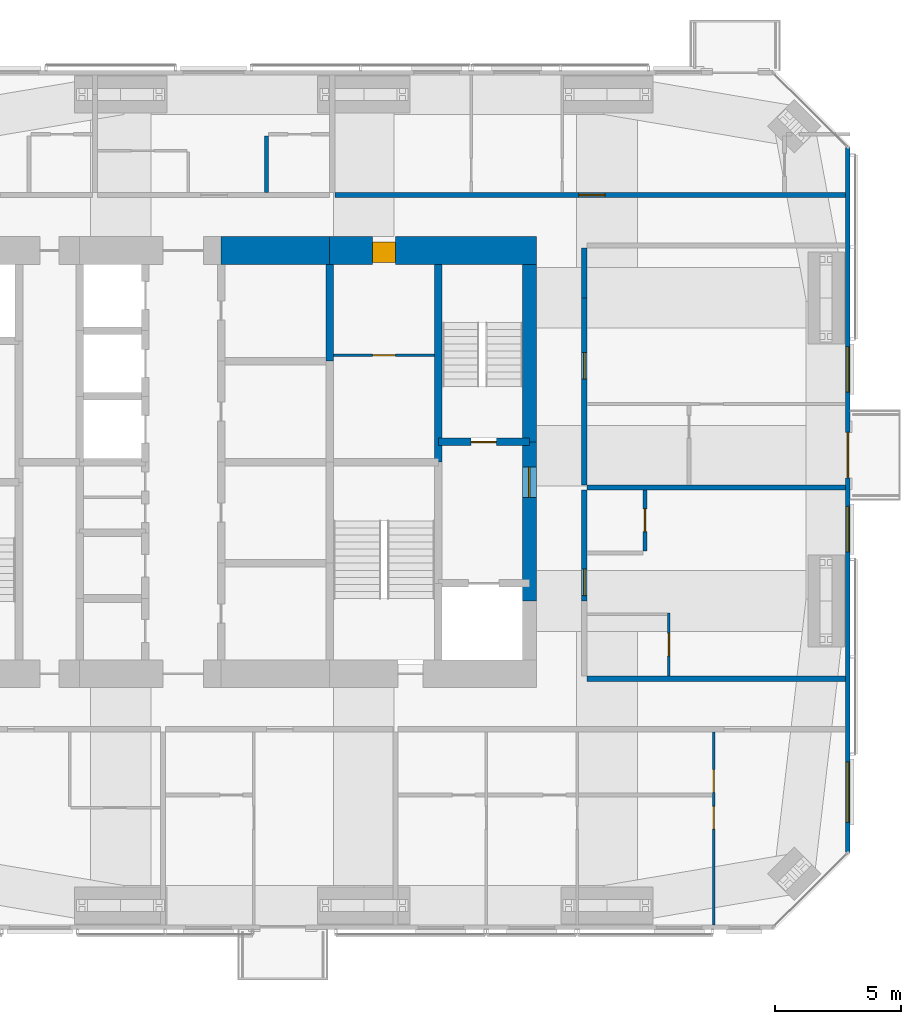
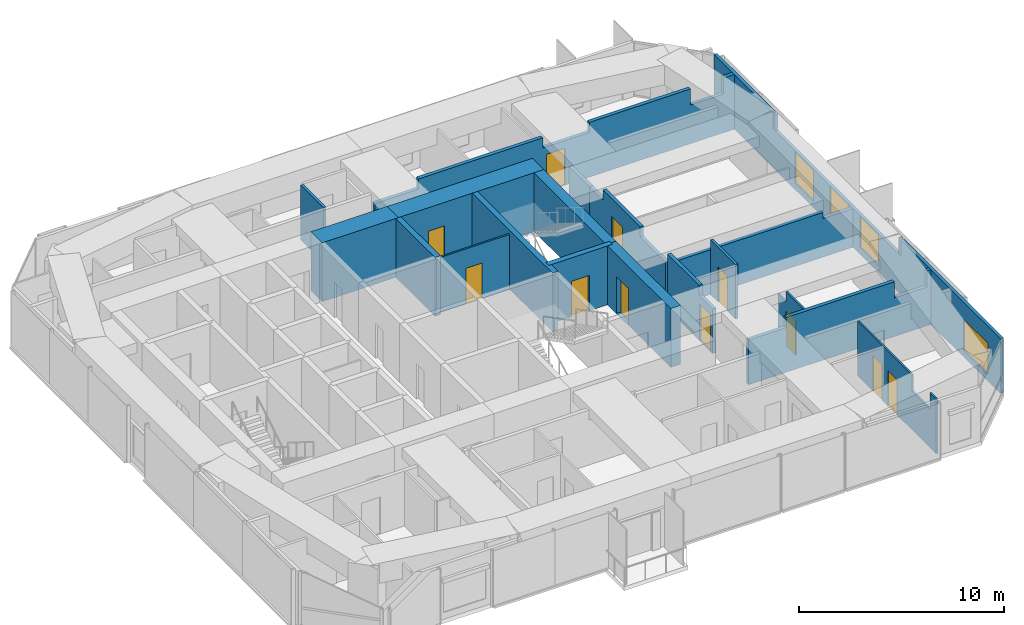
# One storey, part 15 of 18: 19 walls, 12 doors, 3 windows, 15 openings.
"""IFC4 building model written with IfcOpenShell, lengths in metres."""

from ifc_helpers import new_model, si_unit, direction, frame, frame_2d, origin, place, context, subcontext, project, spatial, polyline, rectangle, outline, extrude, material, layer, layer_set, constituent, constituent_set, type_object, element, fill, save


model = new_model("IFC4")

# Units and contexts
model_context = context("Model", 3, precision=1e-05, world=origin(), true_north=direction((0.0, 1.0)))
body_context = subcontext(model_context, "Body", "Model", "MODEL_VIEW")
ifc_project = project(units=[si_unit("LENGTHUNIT", "METRE"), si_unit("AREAUNIT", "SQUARE_METRE"), si_unit("VOLUMEUNIT", "CUBIC_METRE"), si_unit("PLANEANGLEUNIT", "RADIAN"), si_unit("MASSUNIT", "GRAM", prefix="KILO")], contexts=[model_context])

# Site, building, storey
site_placement = place(None, origin())
site = spatial("IfcSite", under=ifc_project, at=site_placement, CompositionType="ELEMENT")
building_placement = place(site_placement, origin())
building = spatial("IfcBuilding", under=site, at=building_placement, Name="Jalousie Tower", CompositionType="ELEMENT")
storey_placement = place(building_placement, frame((0.0, 0.0, 231.949951171875)))
storey = spatial("IfcBuildingStorey", under=building, at=storey_placement, Name="L63", CompositionType="ELEMENT", Elevation=231.949951171875)

# Wall
ifc_material_1 = material(Name="Concrete block ASTM C90", Category="concrete")
ifc_constituent_1 = constituent(ifc_material_1, Name="Body")
ifc_material_2 = material(Name="Render")
ifc_constituent_2 = constituent(ifc_material_2, Name="Finish")
ifc_constituent_set_1 = constituent_set(constituents=[ifc_constituent_1, ifc_constituent_2])
wall_type_1 = type_object("IfcWallType", Name="BATHROOM WALL 150", PredefinedType="PLUMBINGWALL", material=ifc_constituent_set_1)
wall_1_placement = place(storey_placement, frame((33.39990234375, 31.39990234375, 0.0), z_axis=(0.0, 0.0, 1.0), x_axis=(0.0, -1.0, 0.0)))
element("IfcWall", 1, at=wall_1_placement, inside=storey, type_object=wall_type_1, Name="Bathroom Wall 150 L63", PredefinedType="PLUMBINGWALL", context=body_context, shape_type="SweptSolid", body=[
    extrude(rectangle(XDim=2.224853515625, YDim=0.14990234375, at=frame_2d((1.1123046875, 0.0))), origin(), (0.0, 0.0, 1.0), 3.260009765625),
])

# Wall, opening, door
wall_2_placement = place(storey_placement, frame((48.375, 14.97509765625, 0.0), z_axis=(0.0, 0.0, 1.0), x_axis=(0.0, 1.0, 0.0)))
wall_2 = element("IfcWall", 2, at=wall_2_placement, inside=storey, type_object=wall_type_1, Name="Bathroom Wall 150 L63", PredefinedType="PLUMBINGWALL", context=body_context, shape_type="SweptSolid", body=[
    extrude(rectangle(XDim=2.4248046875, YDim=0.14990234375, at=frame_2d((1.21240234375, 0.0))), origin(), (0.0, 0.0, 1.0), 3.260009765625),
])
opening_1_placement = place(wall_2_placement, frame((0.77490234375, 0.0, 0.0)))
opening_1 = element("IfcOpeningElement", 3, at=opening_1_placement, cuts=wall_2, Name="Opening D3", PredefinedType="OPENING", context=body_context, shape_type="SweptSolid", body=[
    extrude(rectangle(XDim=0.89990234375, YDim=2.10009765625, at=frame_2d((0.449951171875, 1.050048828125))), frame((0.0, 0.0849609375, 0.0), z_axis=(0.0, -1.0, 0.0), x_axis=(1.0, 0.0, 0.0)), (0.0, 0.0, 1.0), 0.169921875),
])
ifc_material_3 = material(Name="Timber door", Category="wood")
door_type_1 = type_object("IfcDoorType", Name="BATHROOM DOOR 900", OperationType="SINGLE_SWING_LEFT", PredefinedType="DOOR", material=ifc_material_3)
door_1_placement = place(opening_1_placement, origin())
door_1 = element("IfcDoor", 4, at=door_1_placement, inside=storey, type_object=door_type_1, Name="Apartment 6307 bathroom door", OperationType="SINGLE_SWING_RIGHT", OverallHeight=2.10009765625, OverallWidth=0.89990234375, PredefinedType="DOOR", context=body_context, shape_type="SweptSolid", body=[
    extrude(rectangle(XDim=0.89990234375, YDim=2.10009765625, at=frame_2d((0.449951171875, 1.050048828125))), frame((0.0, 0.02490234375, 0.0), z_axis=(0.0, -1.0, 0.0), x_axis=(1.0, 0.0, 0.0)), (0.0, 0.0, 1.0), 0.050048828125),
])
fill(opening_1, door_1)

ifc_material_4 = material(Name="Concrete f'c 120 MPa", Category="concrete")
ifc_layer_1 = layer(ifc_material_4, 1.10009765625)
ifc_layer_set_1 = layer_set([ifc_layer_1], Name="Concrete f'c 120 MPa")
wall_type_2 = type_object("IfcWallType", Name="CORE WALL 1100", PredefinedType="SHEAR", material=ifc_layer_set_1)
wall_3_placement = place(storey_placement, frame((44.074951171875, 26.875, 0.0), z_axis=(0.0, 0.0, 1.0), x_axis=(-1.0, 0.0, 0.0)))
wall_3 = element("IfcWall", 5, at=wall_3_placement, inside=storey, type_object=wall_type_2, Name="Core wall NA L63", PredefinedType="SHEAR", context=body_context, shape_type="SweptSolid", body=[
    extrude(rectangle(XDim=8.175048828125, YDim=1.10009765625, at=frame_2d((4.08740234375, 0.0))), origin(), (0.0, 0.0, 1.0), 3.5),
])
opening_2_placement = place(wall_3_placement, frame((5.574951171875, 0.0, 0.0)))
opening_2 = element("IfcOpeningElement", 6, at=opening_2_placement, cuts=wall_3, Name="Opening D26", PredefinedType="OPENING", context=body_context, shape_type="SweptSolid", body=[
    extrude(rectangle(XDim=0.89990234375, YDim=2.10009765625, at=frame_2d((0.449951171875, 1.050048828125))), frame((0.0, 0.56005859375, 0.0), z_axis=(0.0, -1.0, 0.0), x_axis=(1.0, 0.0, 0.0)), (0.0, 0.0, 1.0), 1.1201171875),
])
ifc_material_5 = material(Name="Steel fire door", Category="steel")
door_type_2 = type_object("IfcDoorType", Name="HOUSEKEEPING STORE DOOR 900", OperationType="SINGLE_SWING_LEFT", PredefinedType="DOOR", material=ifc_material_5)
door_2_placement = place(opening_2_placement, origin())
door_2 = element("IfcDoor", 7, at=door_2_placement, inside=storey, type_object=door_type_2, Name="Housekeeping store door", OperationType="SINGLE_SWING_LEFT", OverallHeight=2.10009765625, OverallWidth=0.89990234375, PredefinedType="DOOR", context=body_context, shape_type="SweptSolid", body=[
    extrude(rectangle(XDim=0.89990234375, YDim=2.10009765625, at=frame_2d((0.449951171875, 1.050048828125))), frame((0.0, 0.47021484375, 0.0), z_axis=(0.0, -1.0, 0.0), x_axis=(1.0, 0.0, 0.0)), (0.0, 0.0, 1.0), 0.800048828125),
])
fill(opening_2, door_2)

# Walls
wall_4_placement = place(storey_placement, frame((35.89990234375, 26.875, 0.0), z_axis=(0.0, 0.0, 1.0), x_axis=(-1.0, 0.0, 0.0)))
element("IfcWall", 8, at=wall_4_placement, inside=storey, type_object=wall_type_2, Name="Core wall NB L63", PredefinedType="SHEAR", context=body_context, shape_type="SweptSolid", body=[
    extrude(rectangle(XDim=4.2998046875, YDim=1.10009765625, at=frame_2d((2.14990234375, 0.0))), origin(), (0.0, 0.0, 1.0), 3.5),
])
ifc_material_6 = material(Name="Concrete f'c 120 MPa", Category="concrete")
ifc_layer_2 = layer(ifc_material_6, 0.300048828125)
ifc_layer_set_2 = layer_set([ifc_layer_2], Name="Concrete f'c 120 MPa")
wall_type_3 = type_object("IfcWallType", Name="CORE WALL 300", PredefinedType="SHEAR", material=ifc_layer_set_2)
wall_5_placement = place(storey_placement, frame((35.89990234375, 22.5, 0.0), z_axis=(0.0, 0.0, 1.0), x_axis=(0.0, 1.0, 0.0)))
element("IfcWall", 9, at=wall_5_placement, inside=storey, type_object=wall_type_3, Name="Core wall X35.9D L63", PredefinedType="SHEAR", context=body_context, shape_type="SweptSolid", body=[
    extrude(rectangle(XDim=3.824951171875, YDim=0.300048828125, at=frame_2d((1.91259765625, 0.0))), origin(), (0.0, 0.0, 1.0), 3.5),
])
wall_6_placement = place(storey_placement, frame((40.199951171875, 18.5, 0.0), z_axis=(0.0, 0.0, 1.0), x_axis=(0.0, 1.0, 0.0)))
element("IfcWall", 10, at=wall_6_placement, inside=storey, type_object=wall_type_3, Name="Core wall X40.2C L63", PredefinedType="SHEAR", context=body_context, shape_type="SweptSolid", body=[
    extrude(rectangle(XDim=7.824951171875, YDim=0.300048828125, at=frame_2d((3.91259765625, 0.0))), origin(), (0.0, 0.0, 1.0), 3.5),
])

# Wall, opening, door
wall_7_placement = place(storey_placement, frame((40.199951171875, 19.300048828125, 0.0), z_axis=(0.0, 0.0, 1.0), x_axis=(1.0, 0.0, 0.0)))
wall_7 = element("IfcWall", 11, at=wall_7_placement, inside=storey, type_object=wall_type_3, Name="Core wall Y40.2-19.3 L63", PredefinedType="SHEAR", context=body_context, shape_type="SweptSolid", body=[
    extrude(rectangle(XDim=3.60009765625, YDim=0.300048828125, at=frame_2d((1.800048828125, 0.0))), origin(), (0.0, 0.0, 1.0), 3.5),
])
opening_3_placement = place(wall_7_placement, frame((1.300048828125, 0.0, 0.0)))
opening_3 = element("IfcOpeningElement", 12, at=opening_3_placement, cuts=wall_7, Name="Opening D10", PredefinedType="OPENING", context=body_context, shape_type="SweptSolid", body=[
    extrude(rectangle(XDim=1.0, YDim=2.10009765625, at=frame_2d((0.5, 1.050048828125))), frame((0.0, 0.159912109375, 0.0), z_axis=(0.0, -1.0, 0.0), x_axis=(1.0, 0.0, 0.0)), (0.0, 0.0, 1.0), 0.320068359375),
])
ifc_material_7 = material(Name="Steel fire door", Category="steel")
door_type_3 = type_object("IfcDoorType", Name="STAIR DOOR 1000", OperationType="SINGLE_SWING_LEFT", PredefinedType="DOOR", material=ifc_material_7)
door_3_placement = place(opening_3_placement, origin())
door_3 = element("IfcDoor", 13, at=door_3_placement, inside=storey, type_object=door_type_3, Name="Exit stair B door", OperationType="SINGLE_SWING_RIGHT", OverallHeight=2.10009765625, OverallWidth=1.0, PredefinedType="DOOR", context=body_context, shape_type="SweptSolid", body=[
    extrude(rectangle(XDim=1.0, YDim=2.10009765625, at=frame_2d((0.5, 1.050048828125))), frame((0.0, 0.02490234375, 0.0), z_axis=(0.0, -1.0, 0.0), x_axis=(1.0, 0.0, 0.0)), (0.0, 0.0, 1.0), 0.050048828125),
])
fill(opening_3, door_3)

ifc_material_8 = material(Name="Concrete f'c 120 MPa", Category="concrete")
ifc_layer_3 = layer(ifc_material_8, 0.550048828125)
ifc_layer_set_3 = layer_set([ifc_layer_3], Name="Concrete f'c 120 MPa")
wall_type_4 = type_object("IfcWallType", Name="CORE WALL 550", PredefinedType="SHEAR", material=ifc_layer_set_3)
wall_8_placement = place(storey_placement, frame((43.800048828125, 13.0, 0.0), z_axis=(0.0, 0.0, 1.0), x_axis=(0.0, 1.0, 0.0)))
wall_8 = element("IfcWall", 14, at=wall_8_placement, inside=storey, type_object=wall_type_4, Name="Core wall EB L63", PredefinedType="SHEAR", context=body_context, shape_type="SweptSolid", body=[
    extrude(rectangle(XDim=6.300048828125, YDim=0.550048828125, at=frame_2d((3.14990234375, 0.0))), origin(), (0.0, 0.0, 1.0), 3.5),
])
opening_4_placement = place(wall_8_placement, frame((4.10009765625, 0.0, 0.0)))
opening_4 = element("IfcOpeningElement", 15, at=opening_4_placement, cuts=wall_8, Name="Opening D11", PredefinedType="OPENING", context=body_context, shape_type="SweptSolid", body=[
    extrude(rectangle(XDim=1.199951171875, YDim=2.199951171875, at=frame_2d((0.60009765625, 1.10009765625))), frame((0.0, 0.284912109375, 0.0), z_axis=(0.0, -1.0, 0.0), x_axis=(1.0, 0.0, 0.0)), (0.0, 0.0, 1.0), 0.570068359375),
])
ifc_material_9 = material(Name="Steel fire door", Category="steel")
door_type_4 = type_object("IfcDoorType", Name="FIRE DOOR 1200", OperationType="SINGLE_SWING_LEFT", PredefinedType="DOOR", material=ifc_material_9)
door_4_placement = place(opening_4_placement, origin())
door_4 = element("IfcDoor", 16, at=door_4_placement, inside=storey, type_object=door_type_4, Name="Fire-fighting lobby B door", OperationType="SINGLE_SWING_RIGHT", OverallHeight=2.199951171875, OverallWidth=1.199951171875, PredefinedType="DOOR", context=body_context, shape_type="SweptSolid", body=[
    extrude(rectangle(XDim=1.199951171875, YDim=2.199951171875, at=frame_2d((0.60009765625, 1.10009765625))), frame((0.0, 0.02490234375, 0.0), z_axis=(0.0, -1.0, 0.0), x_axis=(1.0, 0.0, 0.0)), (0.0, 0.0, 1.0), 0.050048828125),
])
fill(opening_4, door_4)

# Walls
wall_9_placement = place(storey_placement, frame((43.800048828125, 19.300048828125, 0.0), z_axis=(0.0, 0.0, 1.0), x_axis=(0.0, 1.0, 0.0)))
element("IfcWall", 17, at=wall_9_placement, inside=storey, type_object=wall_type_4, Name="Core wall EC L63", PredefinedType="SHEAR", context=body_context, shape_type="SweptSolid", body=[
    extrude(rectangle(XDim=7.02490234375, YDim=0.550048828125, at=frame_2d((3.512451171875, 0.0))), origin(), (0.0, 0.0, 1.0), 3.5),
])
ifc_material_10 = material(Name="Concrete block ASTM C90", Category="concrete")
ifc_constituent_3 = constituent(ifc_material_10, Name="Body")
ifc_material_11 = material(Name="Render")
ifc_constituent_4 = constituent(ifc_material_11, Name="Finish")
ifc_constituent_set_2 = constituent_set(constituents=[ifc_constituent_3, ifc_constituent_4])
wall_type_5 = type_object("IfcWallType", Name="CORRIDOR WALL 200", PredefinedType="PARTITIONING", material=ifc_constituent_set_2)
wall_10_placement = place(storey_placement, frame((46.074951171875, 9.925048828125, 0.0), z_axis=(0.0, 0.0, 1.0), x_axis=(1.0, 0.0, 0.0)))
element("IfcWall", 18, at=wall_10_placement, inside=storey, type_object=wall_type_5, Name="Corridor Wall 200 L63", PredefinedType="PARTITIONING", context=body_context, shape_type="SweptSolid", body=[
    extrude(outline(polyline([(0.0, 0.0), (10.25, 0.0), (10.25, 3.260009765625), (10.032958984375, 3.260009765625), (10.032958984375, 2.300048828125), (8.20068359375, 2.300048828125), (8.20068359375, 3.260009765625), (2.110107421875, 3.260009765625), (2.110107421875, 2.66015625), (0.0, 2.66015625), (0.0, 3.260009765625), (0.0, 0.0)])), frame((0.0, 0.10009765625, 0.0), z_axis=(0.0, -1.0, 0.0), x_axis=(1.0, 0.0, 0.0)), (0.0, 0.0, 1.0), 0.199951171875),
])

# Wall, opening, door
wall_11_placement = place(storey_placement, frame((36.10009765625, 29.074951171875, 0.0), z_axis=(0.0, 0.0, 1.0), x_axis=(1.0, 0.0, 0.0)))
wall_11 = element("IfcWall", 19, at=wall_11_placement, inside=storey, type_object=wall_type_5, Name="Corridor Wall 200 L63", PredefinedType="PARTITIONING", context=body_context, shape_type="SweptSolid", body=[
    extrude(outline(polyline([(0.0, 0.0), (20.224853515625, 0.0), (20.22509765625, 3.260009765625), (19.621337890625, 3.260009765625), (19.621337890625, 2.300048828125), (17.7705078125, 2.300048828125), (17.7705078125, 3.260009765625), (12.0849609375, 3.260009765625), (12.0849609375, 2.66015625), (9.465087890625, 2.66015625), (9.465087890625, 3.260009765625), (2.4599609375, 3.260009765625), (2.4599609375, 2.66015625), (0.0, 2.66015625), (0.0, 3.260009765625), (0.0, 0.0)])), frame((0.0, 0.10009765625, 0.0), z_axis=(0.0, -1.0, 0.0), x_axis=(1.0, 0.0, 0.0)), (0.0, 0.0, 1.0), 0.199951171875),
])
opening_5_placement = place(wall_11_placement, frame((9.64990234375, 0.0, 0.0)))
opening_5 = element("IfcOpeningElement", 20, at=opening_5_placement, cuts=wall_11, Name="Opening D1", PredefinedType="OPENING", context=body_context, shape_type="SweptSolid", body=[
    extrude(rectangle(XDim=1.050048828125, YDim=2.199951171875, at=frame_2d((0.52490234375, 1.10009765625))), frame((0.0, 0.10986328125, 0.0), z_axis=(0.0, -1.0, 0.0), x_axis=(1.0, 0.0, 0.0)), (0.0, 0.0, 1.0), 0.219970703125),
])
ifc_material_12 = material(Name="Timber fire door", Category="wood")
door_type_5 = type_object("IfcDoorType", Name="APARTMENT ENTRANCE DOOR 1050", OperationType="SINGLE_SWING_LEFT", PredefinedType="DOOR", material=ifc_material_12)
door_5_placement = place(opening_5_placement, origin())
door_5 = element("IfcDoor", 21, at=door_5_placement, inside=storey, type_object=door_type_5, Name="Apartment 6306 entrance", OperationType="SINGLE_SWING_LEFT", OverallHeight=2.199951171875, OverallWidth=1.050048828125, PredefinedType="DOOR", context=body_context, shape_type="SweptSolid", body=[
    extrude(rectangle(XDim=1.050048828125, YDim=2.199951171875, at=frame_2d((0.52490234375, 1.10009765625))), frame((0.0, 0.02490234375, 0.0), z_axis=(0.0, -1.0, 0.0), x_axis=(1.0, 0.0, 0.0)), (0.0, 0.0, 1.0), 0.050048828125),
])
fill(opening_5, door_5)

wall_12_placement = place(storey_placement, frame((45.97509765625, 13.0, 0.0), z_axis=(0.0, 0.0, 1.0), x_axis=(0.0, 1.0, 0.0)))
wall_12 = element("IfcWall", 22, at=wall_12_placement, inside=storey, type_object=wall_type_5, Name="Corridor Wall 200 L63-B", PredefinedType="PARTITIONING", context=body_context, shape_type="SweptSolid", body=[
    extrude(outline(polyline([(0.0, 0.0), (4.39990234375, 0.0), (4.39990234375, 3.260009765625), (1.31005859375, 3.260009765625), (1.31005859375, 2.66015625), (0.0, 2.66015625), (0.0, 0.0)])), frame((0.0, 0.10009765625, 0.0), z_axis=(0.0, -1.0, 0.0), x_axis=(1.0, 0.0, 0.0)), (0.0, 0.0, 1.0), 0.199951171875),
])
opening_6_placement = place(wall_12_placement, frame((0.21240234375, 0.0, 0.0)))
opening_6 = element("IfcOpeningElement", 23, at=opening_6_placement, cuts=wall_12, Name="Opening D1", PredefinedType="OPENING", context=body_context, shape_type="SweptSolid", body=[
    extrude(rectangle(XDim=1.050048828125, YDim=2.199951171875, at=frame_2d((0.52490234375, 1.10009765625))), frame((0.0, 0.10986328125, 0.0), z_axis=(0.0, -1.0, 0.0), x_axis=(1.0, 0.0, 0.0)), (0.0, 0.0, 1.0), 0.219970703125),
])
door_6_placement = place(opening_6_placement, frame((1.050048828125, 0.0, 0.0), z_axis=(0.0, 0.0, 1.0), x_axis=(-1.0, 0.0, 0.0)))
door_6 = element("IfcDoor", 24, at=door_6_placement, inside=storey, type_object=door_type_5, Name="Apartment 6307 entrance", OperationType="SINGLE_SWING_LEFT", OverallHeight=2.199951171875, OverallWidth=1.050048828125, PredefinedType="DOOR", context=body_context, shape_type="SweptSolid", body=[
    extrude(rectangle(XDim=1.050048828125, YDim=2.199951171875, at=frame_2d((0.52490234375, 1.10009765625))), frame((0.0, 0.02490234375, 0.0), z_axis=(0.0, -1.0, 0.0), x_axis=(1.0, 0.0, 0.0)), (0.0, 0.0, 1.0), 0.050048828125),
])
fill(opening_6, door_6)

wall_13_placement = place(storey_placement, frame((45.97509765625, 17.60009765625, 0.0), z_axis=(0.0, 0.0, 1.0), x_axis=(0.0, 1.0, 0.0)))
wall_13 = element("IfcWall", 25, at=wall_13_placement, inside=storey, type_object=wall_type_5, Name="Corridor Wall 200 L63-A", PredefinedType="PARTITIONING", context=body_context, shape_type="SweptSolid", body=[
    extrude(outline(polyline([(0.0, 0.0), (7.39990234375, 0.0), (7.39990234375, 2.66015625), (6.090087890625, 2.66015625), (6.090087890625, 3.260009765625), (2.4599609375, 3.260009765625), (2.4599609375, 2.66015625), (0.0, 2.66015625), (0.0, 0.0)])), frame((0.0, 0.10009765625, 0.0), z_axis=(0.0, -1.0, 0.0), x_axis=(1.0, 0.0, 0.0)), (0.0, 0.0, 1.0), 0.199951171875),
])
opening_7_placement = place(wall_13_placement, frame((4.1875, 0.0, 0.0)))
opening_7 = element("IfcOpeningElement", 26, at=opening_7_placement, cuts=wall_13, Name="Opening D1", PredefinedType="OPENING", context=body_context, shape_type="SweptSolid", body=[
    extrude(rectangle(XDim=1.050048828125, YDim=2.199951171875, at=frame_2d((0.52490234375, 1.10009765625))), frame((0.0, 0.10986328125, 0.0), z_axis=(0.0, -1.0, 0.0), x_axis=(1.0, 0.0, 0.0)), (0.0, 0.0, 1.0), 0.219970703125),
])
door_7_placement = place(opening_7_placement, frame((1.050048828125, 0.0, 0.0), z_axis=(0.0, 0.0, 1.0), x_axis=(-1.0, 0.0, 0.0)))
door_7 = element("IfcDoor", 27, at=door_7_placement, inside=storey, type_object=door_type_5, Name="Apartment 6308 entrance", OperationType="SINGLE_SWING_RIGHT", OverallHeight=2.199951171875, OverallWidth=1.050048828125, PredefinedType="DOOR", context=body_context, shape_type="SweptSolid", body=[
    extrude(rectangle(XDim=1.050048828125, YDim=2.199951171875, at=frame_2d((0.52490234375, 1.10009765625))), frame((0.0, 0.02490234375, 0.0), z_axis=(0.0, -1.0, 0.0), x_axis=(1.0, 0.0, 0.0)), (0.0, 0.0, 1.0), 0.050048828125),
])
fill(opening_7, door_7)

# Wall
wall_14_placement = place(storey_placement, frame((45.97509765625, 25.0, 0.0), z_axis=(0.0, 0.0, 1.0), x_axis=(0.0, 1.0, 0.0)))
element("IfcWall", 28, at=wall_14_placement, inside=storey, type_object=wall_type_5, Name="Corridor Wall 200 L63-B", PredefinedType="PARTITIONING", context=body_context, shape_type="SweptSolid", body=[
    extrude(rectangle(XDim=1.97509765625, YDim=0.199951171875, at=frame_2d((0.987548828125, 0.0))), origin(), (0.0, 0.0, 1.0), 2.66015625),
])

# Wall, openings, door, windows
ifc_material_13 = material(Name="Concrete f'c 40 MPa", Category="concrete")
ifc_constituent_5 = constituent(ifc_material_13, Name="Body")
ifc_material_14 = material(Name="Render, pastel sky blue")
ifc_constituent_6 = constituent(ifc_material_14, Name="Finish")
ifc_constituent_set_3 = constituent_set(constituents=[ifc_constituent_5, ifc_constituent_6])
wall_type_6 = type_object("IfcWallType", Name="EXTERNAL WALL 175 SKY BLUE RENDER", PredefinedType="SOLIDWALL", material=ifc_constituent_set_3)
wall_15_placement = place(storey_placement, frame((56.41259765625, 3.05126953125, 0.0), z_axis=(0.0, 0.0, 1.0), x_axis=(0.0, 1.0, 0.0)))
wall_15 = element("IfcWall", 29, at=wall_15_placement, inside=storey, type_object=wall_type_6, Name="External Wall 175 Sky Blue Render L63", PredefinedType="SOLIDWALL", context=body_context, shape_type="SweptSolid", body=[
    extrude(outline(polyline([(0.0, 0.0), (27.8974609375, 0.0), (27.8974609375, 3.260009765625), (22.1572265625, 3.260009765625), (22.1572265625, 2.300048828125), (22.092041015625, 2.300048828125), (22.092041015625, 3.260009765625), (21.94873046875, 3.260009765625), (21.94873046875, 2.300048828125), (9.94873046875, 2.300048828125), (9.94873046875, 3.260009765625), (9.8583984375, 3.260009765625), (9.8583984375, 2.300048828125), (9.6875, 2.300048828125), (9.6875, 3.260009765625), (0.0, 3.260009765625), (0.0, 0.0)])), frame((0.0, 0.08740234375, 0.0), z_axis=(0.0, -1.0, 0.0), x_axis=(1.0, 0.0, 0.0)), (0.0, 0.0, 1.0), 0.175048828125),
])
opening_8_placement = place(wall_15_placement, frame((1.18701171875, 0.0, 0.39990234375)))
opening_8 = element("IfcOpeningElement", 30, at=opening_8_placement, cuts=wall_15, Name="Opening W-LIV185", PredefinedType="OPENING", context=body_context, shape_type="SweptSolid", body=[
    extrude(rectangle(XDim=2.39990234375, YDim=1.85009765625, at=frame_2d((1.199951171875, 0.925048828125))), frame((0.0, 0.097412109375, 0.0), z_axis=(0.0, -1.0, 0.0), x_axis=(1.0, 0.0, 0.0)), (0.0, 0.0, 1.0), 0.195068359375),
])
opening_9_placement = place(wall_15_placement, frame((11.897216796875, 0.0, 0.39990234375)))
opening_9 = element("IfcOpeningElement", 31, at=opening_9_placement, cuts=wall_15, Name="Opening W-BED185", PredefinedType="OPENING", context=body_context, shape_type="SweptSolid", body=[
    extrude(rectangle(XDim=1.800048828125, YDim=1.85009765625, at=frame_2d((0.89990234375, 0.925048828125))), frame((0.0, 0.097412109375, 0.0), z_axis=(0.0, -1.0, 0.0), x_axis=(1.0, 0.0, 0.0)), (0.0, 0.0, 1.0), 0.195068359375),
])
opening_10_placement = place(wall_15_placement, frame((14.82373046875, 0.0, 0.0)))
opening_10 = element("IfcOpeningElement", 32, at=opening_10_placement, cuts=wall_15, Name="Opening D-BAL22", PredefinedType="OPENING", context=body_context, shape_type="SweptSolid", body=[
    extrude(rectangle(XDim=1.800048828125, YDim=2.25, at=frame_2d((0.89990234375, 1.125))), frame((0.0, 0.097412109375, 0.0), z_axis=(0.0, -1.0, 0.0), x_axis=(1.0, 0.0, 0.0)), (0.0, 0.0, 1.0), 0.195068359375),
])
opening_11_placement = place(wall_15_placement, frame((18.2236328125, 0.0, 0.39990234375)))
opening_11 = element("IfcOpeningElement", 33, at=opening_11_placement, cuts=wall_15, Name="Opening W-BED185", PredefinedType="OPENING", context=body_context, shape_type="SweptSolid", body=[
    extrude(rectangle(XDim=1.800048828125, YDim=1.85009765625, at=frame_2d((0.89990234375, 0.925048828125))), frame((0.0, 0.097412109375, 0.0), z_axis=(0.0, -1.0, 0.0), x_axis=(1.0, 0.0, 0.0)), (0.0, 0.0, 1.0), 0.195068359375),
])
ifc_material_15 = material(Name="Aluminium frame, impact-rated glazing", Category="aluminium")
door_type_6 = type_object("IfcDoorType", Name="BALCONY DOOR 1800x2250", OperationType="SLIDING_TO_LEFT", PredefinedType="DOOR", material=ifc_material_15)
door_8_placement = place(opening_10_placement, origin())
door_8 = element("IfcDoor", 34, at=door_8_placement, inside=storey, type_object=door_type_6, Name="Apartment 6308 bedroom 1 balcony door", OperationType="SLIDING_TO_LEFT", OverallHeight=2.25, OverallWidth=1.800048828125, PredefinedType="DOOR", context=body_context, shape_type="SweptSolid", body=[
    extrude(rectangle(XDim=1.800048828125, YDim=2.25, at=frame_2d((0.89990234375, 1.125))), frame((0.0, 0.02490234375, 0.0), z_axis=(0.0, -1.0, 0.0), x_axis=(1.0, 0.0, 0.0)), (0.0, 0.0, 1.0), 0.050048828125),
])
fill(opening_10, door_8)
ifc_material_16 = material(Name="Aluminium frame, impact-rated glazing", Category="aluminium")
window_type_1 = type_object("IfcWindowType", Name="WINDOW BED 1800x1850", PartitioningType="SINGLE_PANEL", PredefinedType="WINDOW", material=ifc_material_16)
window_1_placement = place(opening_9_placement, origin())
window_1 = element("IfcWindow", 35, at=window_1_placement, inside=storey, type_object=window_type_1, Name="Apartment 6307 studio living and sleeping room window", OverallHeight=1.85009765625, OverallWidth=1.800048828125, PartitioningType="SINGLE_PANEL", PredefinedType="WINDOW", context=body_context, shape_type="SweptSolid", body=[
    extrude(rectangle(XDim=1.800048828125, YDim=1.85009765625, at=frame_2d((0.89990234375, 0.925048828125))), frame((0.0, 0.030029296875, 0.0), z_axis=(0.0, -1.0, 0.0), x_axis=(1.0, 0.0, 0.0)), (0.0, 0.0, 1.0), 0.06005859375),
])
fill(opening_9, window_1)
window_2_placement = place(opening_11_placement, origin())
window_2 = element("IfcWindow", 36, at=window_2_placement, inside=storey, type_object=window_type_1, Name="Apartment 6308 living, dining and kitchen window", OverallHeight=1.85009765625, OverallWidth=1.800048828125, PartitioningType="SINGLE_PANEL", PredefinedType="WINDOW", context=body_context, shape_type="SweptSolid", body=[
    extrude(rectangle(XDim=1.800048828125, YDim=1.85009765625, at=frame_2d((0.89990234375, 0.925048828125))), frame((0.0, 0.030029296875, 0.0), z_axis=(0.0, -1.0, 0.0), x_axis=(1.0, 0.0, 0.0)), (0.0, 0.0, 1.0), 0.06005859375),
])
fill(opening_11, window_2)
ifc_material_17 = material(Name="Aluminium frame, impact-rated glazing", Category="aluminium")
window_type_2 = type_object("IfcWindowType", Name="WINDOW LIV 2400x1850", PartitioningType="DOUBLE_PANEL_VERTICAL", PredefinedType="WINDOW", material=ifc_material_17)
window_3_placement = place(opening_8_placement, origin())
window_3 = element("IfcWindow", 37, at=window_3_placement, inside=storey, type_object=window_type_2, Name="Apartment 6303 living, dining and kitchen window", OverallHeight=1.85009765625, OverallWidth=2.39990234375, PartitioningType="SINGLE_PANEL", PredefinedType="WINDOW", context=body_context, shape_type="SweptSolid", body=[
    extrude(rectangle(XDim=2.39990234375, YDim=1.85009765625, at=frame_2d((1.199951171875, 0.925048828125))), frame((0.0, 0.030029296875, 0.0), z_axis=(0.0, -1.0, 0.0), x_axis=(1.0, 0.0, 0.0)), (0.0, 0.0, 1.0), 0.06005859375),
])
fill(opening_8, window_3)

# Wall, openings, doors
ifc_material_18 = material(Name="Gypsum board", Category="gypsum")
ifc_constituent_7 = constituent(ifc_material_18, Name="Body")
ifc_material_19 = material(Name="Light-gauge steel studs ASTM A653 SS Grade 33", Category="steel")
ifc_constituent_8 = constituent(ifc_material_19, Name="Framing")
ifc_constituent_set_4 = constituent_set(constituents=[ifc_constituent_7, ifc_constituent_8])
wall_type_7 = type_object("IfcWallType", Name="PARTITION 100", PredefinedType="PARTITIONING", material=ifc_constituent_set_4)
wall_16_placement = place(storey_placement, frame((51.10009765625, 0.175048828125, 0.0), z_axis=(0.0, 0.0, 1.0), x_axis=(0.0, 1.0, 0.0)))
wall_16 = element("IfcWall", 38, at=wall_16_placement, inside=storey, type_object=wall_type_7, Name="Partition 100 L63", PredefinedType="PARTITIONING", context=body_context, shape_type="SweptSolid", body=[
    extrude(outline(polyline([(0.0, 0.0), (7.64990234375, 0.0), (7.64990234375, 3.260009765625), (2.36328125, 3.260009765625), (2.36328125, 2.300048828125), (0.61865234375, 2.300048828125), (0.61865234375, 3.260009765625), (0.0, 3.260009765625), (0.0, 0.0)])), frame((0.0, 0.050048828125, 0.0), z_axis=(0.0, -1.0, 0.0), x_axis=(1.0, 0.0, 0.0)), (0.0, 0.0, 1.0), 0.10009765625),
])
opening_12_placement = place(wall_16_placement, frame((3.800048828125, 0.0, 0.0)))
opening_12 = element("IfcOpeningElement", 39, at=opening_12_placement, cuts=wall_16, Name="Opening D2", PredefinedType="OPENING", context=body_context, shape_type="SweptSolid", body=[
    extrude(rectangle(XDim=0.89990234375, YDim=2.10009765625, at=frame_2d((0.449951171875, 1.050048828125))), frame((0.0, 0.06005859375, 0.0), z_axis=(0.0, -1.0, 0.0), x_axis=(1.0, 0.0, 0.0)), (0.0, 0.0, 1.0), 0.1201171875),
])
opening_13_placement = place(wall_16_placement, frame((5.25, 0.0, 0.0)))
opening_13 = element("IfcOpeningElement", 40, at=opening_13_placement, cuts=wall_16, Name="Opening D7", PredefinedType="OPENING", context=body_context, shape_type="SweptSolid", body=[
    extrude(rectangle(XDim=0.89990234375, YDim=2.10009765625, at=frame_2d((0.449951171875, 1.050048828125))), frame((0.0, 0.06005859375, 0.0), z_axis=(0.0, -1.0, 0.0), x_axis=(1.0, 0.0, 0.0)), (0.0, 0.0, 1.0), 0.1201171875),
])
ifc_material_20 = material(Name="Timber door", Category="wood")
door_type_7 = type_object("IfcDoorType", Name="BEDROOM DOOR 900", OperationType="SINGLE_SWING_LEFT", PredefinedType="DOOR", material=ifc_material_20)
door_9_placement = place(opening_12_placement, origin())
door_9 = element("IfcDoor", 41, at=door_9_placement, inside=storey, type_object=door_type_7, Name="Apartment 6303 bedroom 3 door", OperationType="SINGLE_SWING_RIGHT", OverallHeight=2.10009765625, OverallWidth=0.89990234375, PredefinedType="DOOR", context=body_context, shape_type="SweptSolid", body=[
    extrude(rectangle(XDim=0.89990234375, YDim=2.10009765625, at=frame_2d((0.449951171875, 1.050048828125))), frame((0.0, 0.02490234375, 0.0), z_axis=(0.0, -1.0, 0.0), x_axis=(1.0, 0.0, 0.0)), (0.0, 0.0, 1.0), 0.050048828125),
])
fill(opening_12, door_9)
ifc_material_21 = material(Name="Timber door", Category="wood")
door_type_8 = type_object("IfcDoorType", Name="INTERNAL DOOR 900", OperationType="SINGLE_SWING_LEFT", PredefinedType="DOOR", material=ifc_material_21)
door_10_placement = place(opening_13_placement, origin())
door_10 = element("IfcDoor", 42, at=door_10_placement, inside=storey, type_object=door_type_8, Name="Apartment 6303 bathroom door", OperationType="SINGLE_SWING_LEFT", OverallHeight=2.10009765625, OverallWidth=0.89990234375, PredefinedType="DOOR", context=body_context, shape_type="SweptSolid", body=[
    extrude(rectangle(XDim=0.89990234375, YDim=2.10009765625, at=frame_2d((0.449951171875, 1.050048828125))), frame((0.0, 0.02490234375, 0.0), z_axis=(0.0, -1.0, 0.0), x_axis=(1.0, 0.0, 0.0)), (0.0, 0.0, 1.0), 0.050048828125),
])
fill(opening_13, door_10)

# Wall, opening, door
wall_17_placement = place(storey_placement, frame((49.324951171875, 10.02490234375, 0.0), z_axis=(0.0, 0.0, 1.0), x_axis=(0.0, 1.0, 0.0)))
wall_17 = element("IfcWall", 43, at=wall_17_placement, inside=storey, type_object=wall_type_7, Name="Partition 100 L63", PredefinedType="PARTITIONING", context=body_context, shape_type="SweptSolid", body=[
    extrude(outline(polyline([(0.0, 0.0), (2.5, 0.0), (2.5, 3.260009765625), (2.5, 2.66015625), (1.715087890625, 2.66015625), (1.715087890625, 3.260009765625), (0.0, 3.260009765625), (0.0, 0.0)])), frame((0.0, 0.050048828125, 0.0), z_axis=(0.0, -1.0, 0.0), x_axis=(1.0, 0.0, 0.0)), (0.0, 0.0, 1.0), 0.10009765625),
])
opening_14_placement = place(wall_17_placement, frame((0.800048828125, 0.0, 0.0)))
opening_14 = element("IfcOpeningElement", 44, at=opening_14_placement, cuts=wall_17, Name="Opening D7", PredefinedType="OPENING", context=body_context, shape_type="SweptSolid", body=[
    extrude(rectangle(XDim=0.89990234375, YDim=2.10009765625, at=frame_2d((0.449951171875, 1.050048828125))), frame((0.0, 0.06005859375, 0.0), z_axis=(0.0, -1.0, 0.0), x_axis=(1.0, 0.0, 0.0)), (0.0, 0.0, 1.0), 0.1201171875),
])
door_11_placement = place(opening_14_placement, origin())
door_11 = element("IfcDoor", 45, at=door_11_placement, inside=storey, type_object=door_type_8, Name="Apartment 6307 kitchen door", OperationType="SINGLE_SWING_RIGHT", OverallHeight=2.10009765625, OverallWidth=0.89990234375, PredefinedType="DOOR", context=body_context, shape_type="SweptSolid", body=[
    extrude(rectangle(XDim=0.89990234375, YDim=2.10009765625, at=frame_2d((0.449951171875, 1.050048828125))), frame((0.0, 0.02490234375, 0.0), z_axis=(0.0, -1.0, 0.0), x_axis=(1.0, 0.0, 0.0)), (0.0, 0.0, 1.0), 0.050048828125),
])
fill(opening_14, door_11)

wall_18_placement = place(storey_placement, frame((36.050048828125, 22.72509765625, 0.0), z_axis=(0.0, 0.0, 1.0), x_axis=(1.0, 0.0, 0.0)))
wall_18 = element("IfcWall", 46, at=wall_18_placement, inside=storey, type_object=wall_type_7, Name="Partition 100 L63", PredefinedType="PARTITIONING", context=body_context, shape_type="SweptSolid", body=[
    extrude(rectangle(XDim=4.0, YDim=0.10009765625, at=frame_2d((2.0, 0.0))), origin(), (0.0, 0.0, 1.0), 3.260009765625),
])
opening_15_placement = place(wall_18_placement, frame((1.550048828125, 0.0, 0.0)))
opening_15 = element("IfcOpeningElement", 47, at=opening_15_placement, cuts=wall_18, Name="Opening D7", PredefinedType="OPENING", context=body_context, shape_type="SweptSolid", body=[
    extrude(rectangle(XDim=0.89990234375, YDim=2.10009765625, at=frame_2d((0.449951171875, 1.050048828125))), frame((0.0, 0.06005859375, 0.0), z_axis=(0.0, -1.0, 0.0), x_axis=(1.0, 0.0, 0.0)), (0.0, 0.0, 1.0), 0.1201171875),
])
door_12_placement = place(opening_15_placement, frame((0.89990234375, 0.0, 0.0), z_axis=(0.0, 0.0, 1.0), x_axis=(-1.0, 0.0, 0.0)))
door_12 = element("IfcDoor", 48, at=door_12_placement, inside=storey, type_object=door_type_8, Name="Linen store door", OperationType="SINGLE_SWING_RIGHT", OverallHeight=2.10009765625, OverallWidth=0.89990234375, PredefinedType="DOOR", context=body_context, shape_type="SweptSolid", body=[
    extrude(rectangle(XDim=0.89990234375, YDim=2.10009765625, at=frame_2d((0.449951171875, 1.050048828125))), frame((0.0, 0.02490234375, 0.0), z_axis=(0.0, -1.0, 0.0), x_axis=(1.0, 0.0, 0.0)), (0.0, 0.0, 1.0), 0.050048828125),
])
fill(opening_15, door_12)

# Wall
ifc_material_22 = material(Name="Concrete block ASTM C90", Category="concrete")
ifc_constituent_9 = constituent(ifc_material_22, Name="Body")
ifc_material_23 = material(Name="Render")
ifc_constituent_10 = constituent(ifc_material_23, Name="Finish")
ifc_constituent_set_5 = constituent_set(constituents=[ifc_constituent_9, ifc_constituent_10])
wall_type_8 = type_object("IfcWallType", Name="PARTY WALL 200", PredefinedType="PARTITIONING", material=ifc_constituent_set_5)
wall_19_placement = place(storey_placement, frame((56.324951171875, 17.5, 0.0), z_axis=(0.0, 0.0, 1.0), x_axis=(-1.0, 0.0, 0.0)))
element("IfcWall", 49, at=wall_19_placement, inside=storey, type_object=wall_type_8, Name="Party Wall 200 L63", PredefinedType="PARTITIONING", context=body_context, shape_type="SweptSolid", body=[
    extrude(outline(polyline([(0.0, 0.0), (10.25, 0.0), (10.25, 3.260009765625), (10.25, 2.66015625), (1.68505859375, 2.66015625), (1.68505859375, 2.300048828125), (0.0, 2.300048828125), (0.0, 3.260009765625), (0.0, 0.0)])), frame((0.0, 0.10009765625, 0.0), z_axis=(0.0, -1.0, 0.0), x_axis=(1.0, 0.0, 0.0)), (0.0, 0.0, 1.0), 0.199951171875),
])

save(model, "model.ifc")
